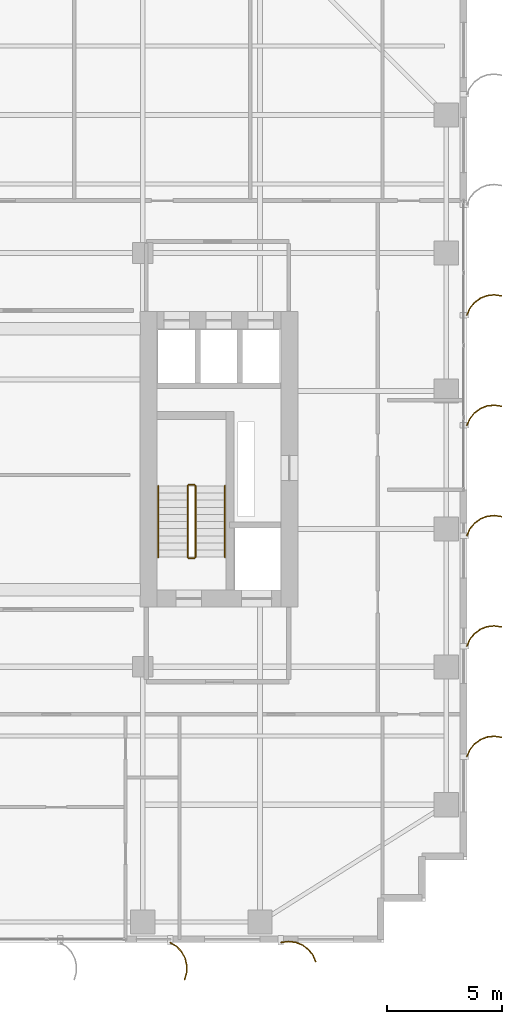
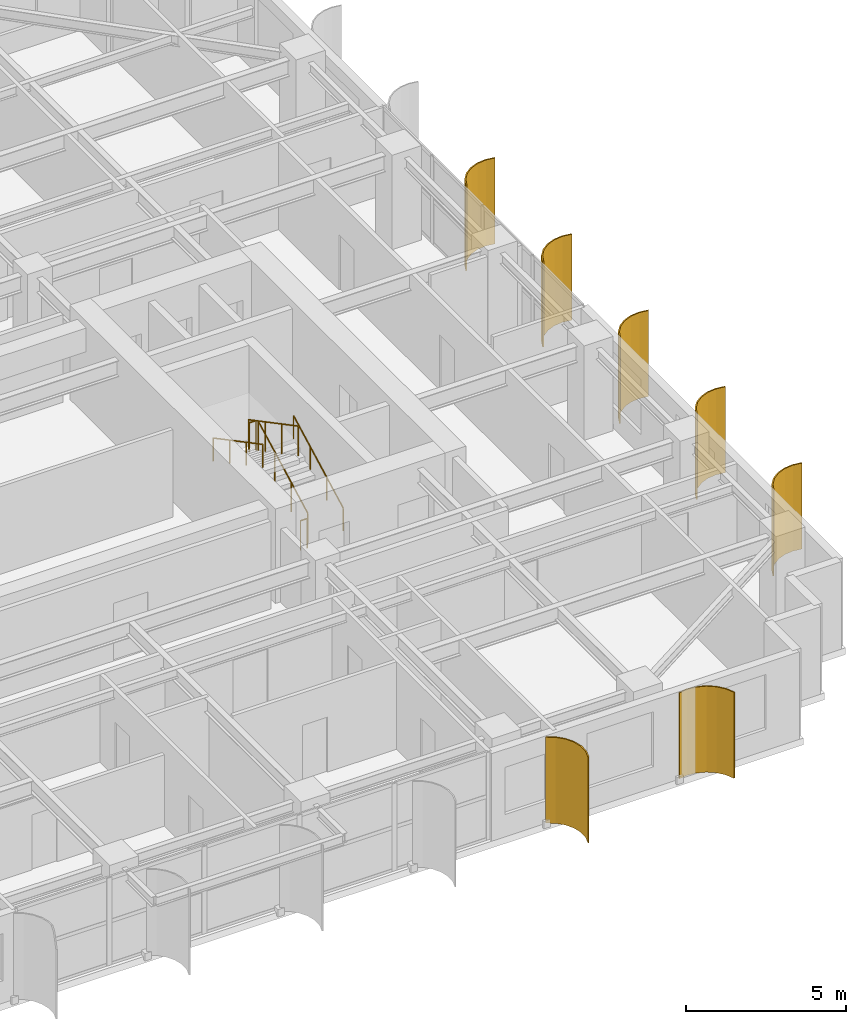
# One storey, part 26 of 27: 7 shading devices, 6 railings.
"""IFC4 building model written with IfcOpenShell, lengths in metres."""

from ifc_helpers import new_model, si_unit, direction, frame, origin, origin_2d, place, context, subcontext, project, spatial, polyline, circle, outline, extrude, source, transform, mapped, material, layer, layer_set, type_object, element, save


model = new_model("IFC4")

# Units and contexts
model_context = context("Model", 3, precision=1e-05, world=origin(), true_north=direction((0.0, 1.0)))
body_context = subcontext(model_context, "Body", "Model", "MODEL_VIEW")
ifc_project = project(units=[si_unit("LENGTHUNIT", "METRE"), si_unit("AREAUNIT", "SQUARE_METRE"), si_unit("VOLUMEUNIT", "CUBIC_METRE"), si_unit("PLANEANGLEUNIT", "RADIAN"), si_unit("MASSUNIT", "GRAM", prefix="KILO")], contexts=[model_context])

# Site, building, storey
site_placement = place(None, origin())
site = spatial("IfcSite", under=ifc_project, at=site_placement, CompositionType="ELEMENT")
building_placement = place(site_placement, origin())
building = spatial("IfcBuilding", under=site, at=building_placement, Name="Khoralis Quay Care Tower", CompositionType="ELEMENT")
storey_placement = place(building_placement, frame((0.0, 0.0, 105.300048828125)))
storey = spatial("IfcBuildingStorey", under=building, at=storey_placement, Name="L27", CompositionType="ELEMENT", Elevation=105.300048828125)

# Railings
ifc_material_1 = material(Name="Brushed stainless steel", Category="steel")
railing_type_1 = type_object("IfcRailingType", Name="RL-GUARD-1150", PredefinedType="GUARDRAIL", material=ifc_material_1)
railing_1_placement = place(storey_placement, frame((33.18994140625, 16.77001953125, 0.16357421875)))
element("IfcRailing", 1, at=railing_1_placement, inside=storey, type_object=railing_type_1, Name="L27 ST-T2 stair guard 1", PredefinedType="GUARDRAIL", context=body_context, shape_type="SweptSolid", body=[
    extrude(circle(Radius=0.02392578125, at=origin_2d()), frame((0.0, 0.0, 1.1259765625), z_axis=(0.0, 0.884348015382, 0.466828220752), x_axis=(-1.0, 0.0, 0.0)), (0.0, 0.0, 1.0), 3.505615234375),
    extrude(circle(Radius=0.02099609375, at=origin_2d()), origin(), (0.0, 0.0, 1.0), 1.101806640625),
    extrude(circle(Radius=0.02099609375, at=origin_2d()), frame((0.0, 1.033447265625, 0.54541015625)), (0.0, 0.0, 1.0), 1.101806640625),
    extrude(circle(Radius=0.02099609375, at=origin_2d()), frame((0.0, 2.066650390625, 1.091064453125)), (0.0, 0.0, 1.0), 1.101806640625),
    extrude(circle(Radius=0.02099609375, at=origin_2d()), frame((0.0, 3.10009765625, 1.636474609375)), (0.0, 0.0, 1.0), 1.101806640625),
])
railing_2_placement = place(storey_placement, frame((33.139892578125, 19.919921875, 1.800048828125)))
element("IfcRailing", 2, at=railing_2_placement, inside=storey, type_object=railing_type_1, Name="L27 ST-T2 stair guard 2", PredefinedType="GUARDRAIL", context=body_context, shape_type="SweptSolid", body=[
    extrude(circle(Radius=0.02392578125, at=origin_2d()), frame((0.0, 0.0, 1.1259765625), z_axis=(-1.0, 0.0, 0.0), x_axis=(0.0, -1.0, 0.0)), (0.0, 0.0, 1.0), 0.239990234375),
    extrude(circle(Radius=0.02099609375, at=origin_2d()), origin(), (0.0, 0.0, 1.0), 1.101806640625),
    extrude(circle(Radius=0.02099609375, at=origin_2d()), frame((-0.239990234375, 0.0, 0.0)), (0.0, 0.0, 1.0), 1.101806640625),
])
railing_3_placement = place(storey_placement, frame((32.85009765625, 19.8701171875, 1.963623046875)))
element("IfcRailing", 3, at=railing_3_placement, inside=storey, type_object=railing_type_1, Name="L27 ST-T2 stair guard 3", PredefinedType="GUARDRAIL", context=body_context, shape_type="SweptSolid", body=[
    extrude(circle(Radius=0.02392578125, at=origin_2d()), frame((0.0, 0.0, 1.1259765625), z_axis=(0.0, -0.884376766648, 0.46677375099), x_axis=(1.0, 0.0, 0.0)), (0.0, 0.0, 1.0), 3.50537109375),
    extrude(circle(Radius=0.02099609375, at=origin_2d()), origin(), (0.0, 0.0, 1.0), 1.101806640625),
    extrude(circle(Radius=0.02099609375, at=origin_2d()), frame((0.0, -1.033447265625, 0.54541015625)), (0.0, 0.0, 1.0), 1.101806640625),
    extrude(circle(Radius=0.02099609375, at=origin_2d()), frame((0.0, -2.066650390625, 1.0908203125)), (0.0, 0.0, 1.0), 1.101806640625),
    extrude(circle(Radius=0.02099609375, at=origin_2d()), frame((0.0, -3.10009765625, 1.63623046875)), (0.0, 0.0, 1.0), 1.101806640625),
])
railing_4_placement = place(storey_placement, frame((33.139892578125, 16.719970703125, 0.0)))
element("IfcRailing", 4, at=railing_4_placement, inside=storey, type_object=railing_type_1, Name="L27 ST-T2 stair guard 4", PredefinedType="GUARDRAIL", context=body_context, shape_type="SweptSolid", body=[
    extrude(circle(Radius=0.02392578125, at=origin_2d()), frame((0.0, 0.0, 1.1259765625), z_axis=(-1.0, 0.0, 0.0), x_axis=(0.0, -1.0, 0.0)), (0.0, 0.0, 1.0), 0.239990234375),
    extrude(circle(Radius=0.02099609375, at=origin_2d()), origin(), (0.0, 0.0, 1.0), 1.101806640625),
    extrude(circle(Radius=0.02099609375, at=origin_2d()), frame((-0.239990234375, 0.0, 0.0)), (0.0, 0.0, 1.0), 1.101806640625),
])
railing_type_2 = type_object("IfcRailingType", Name="RL-HAND-900", PredefinedType="HANDRAIL", material=ifc_material_1)
railing_5_placement = place(storey_placement, frame((34.469970703125, 16.77001953125, 0.16357421875)))
element("IfcRailing", 5, at=railing_5_placement, inside=storey, type_object=railing_type_2, Name="L27 ST-T2 stair handrail 1", PredefinedType="HANDRAIL", context=body_context, shape_type="SweptSolid", body=[
    extrude(circle(Radius=0.02392578125, at=origin_2d()), frame((0.0, 0.0, 0.8759765625), z_axis=(0.0, 0.884348015382, 0.466828220752), x_axis=(-1.0, 0.0, 0.0)), (0.0, 0.0, 1.0), 3.505615234375),
    extrude(circle(Radius=0.02099609375, at=origin_2d()), origin(), (0.0, 0.0, 1.0), 0.851806640625),
    extrude(circle(Radius=0.02099609375, at=origin_2d()), frame((0.0, 1.033447265625, 0.54541015625)), (0.0, 0.0, 1.0), 0.851806640625),
    extrude(circle(Radius=0.02099609375, at=origin_2d()), frame((0.0, 2.066650390625, 1.091064453125)), (0.0, 0.0, 1.0), 0.851806640625),
    extrude(circle(Radius=0.02099609375, at=origin_2d()), frame((0.0, 3.10009765625, 1.636474609375)), (0.0, 0.0, 1.0), 0.851806640625),
])
railing_6_placement = place(storey_placement, frame((31.570068359375, 19.8701171875, 1.963623046875)))
element("IfcRailing", 6, at=railing_6_placement, inside=storey, type_object=railing_type_2, Name="L27 ST-T2 stair handrail 2", PredefinedType="HANDRAIL", context=body_context, shape_type="SweptSolid", body=[
    extrude(circle(Radius=0.02392578125, at=origin_2d()), frame((0.0, 0.0, 0.8759765625), z_axis=(0.0, -0.884376766648, 0.46677375099), x_axis=(1.0, 0.0, 0.0)), (0.0, 0.0, 1.0), 3.50537109375),
    extrude(circle(Radius=0.02099609375, at=origin_2d()), origin(), (0.0, 0.0, 1.0), 0.851806640625),
    extrude(circle(Radius=0.02099609375, at=origin_2d()), frame((0.0, -1.033447265625, 0.54541015625)), (0.0, 0.0, 1.0), 0.851806640625),
    extrude(circle(Radius=0.02099609375, at=origin_2d()), frame((0.0, -2.066650390625, 1.0908203125)), (0.0, 0.0, 1.0), 0.851806640625),
    extrude(circle(Radius=0.02099609375, at=origin_2d()), frame((0.0, -3.10009765625, 1.63623046875)), (0.0, 0.0, 1.0), 0.851806640625),
])

# Shading devices
ifc_material_2 = material(Name="Brushed pale anodised aluminium", Category="aluminium")
ifc_layer = layer(ifc_material_2, 0.044921875)
ifc_layer_set = layer_set([ifc_layer], Name="Brushed pale anodised aluminium")
shading_device_type = type_object("IfcShadingDeviceType", Name="SHD-FIN-1250", PredefinedType="USERDEFINED", material=ifc_layer_set)
shared_shape_1 = source(origin(), body_context, "Body", "SweptSolid", [
    extrude(outline(polyline([(0.0, 0.0), (0.17041015625, 0.2783203125), (0.4072265625, 0.5029296875), (0.694091796875, 0.658447265625), (1.01123046875, 0.734619140625), (1.33740234375, 0.72607421875), (1.650390625, 0.633544921875), (1.632080078125, 0.59228515625), (1.330322265625, 0.681640625), (1.015869140625, 0.68994140625), (0.710205078125, 0.616455078125), (0.43359375, 0.466552734375), (0.20556640625, 0.25), (0.041015625, -0.018310546875), (0.0, 0.0)])), origin(), (0.0, 0.0, 1.0), 3.280029296875),
])
shading_device_1_placement = place(storey_placement, frame((32.10009765625, 0.030029296875, 0.02001953125), z_axis=(0.0, 0.0, 1.0), x_axis=(0.0, -1.0, 0.0)))
element("IfcShadingDevice", 7, at=shading_device_1_placement, inside=storey, type_object=shading_device_type, Name="L27 Curved Solar Fin P1E0-06", ObjectType="FIN", PredefinedType="USERDEFINED", context=body_context, shape_type="MappedRepresentation", body=[
    mapped(shared_shape_1, transform((0.0, 0.0, 0.0), scale=1.0)),
])
shared_shape_2 = source(origin(), body_context, "Body", "SweptSolid", [
    extrude(outline(polyline([(0.0, 0.0), (-0.04833984375, 0.32275390625), (-0.01123046875, 0.64697265625), (0.1083984375, 0.950439453125), (0.302490234375, 1.212890625), (0.557861328125, 1.416015625), (0.85693359375, 1.546142578125), (0.869384765625, 1.5029296875), (0.5810546875, 1.37744140625), (0.334716796875, 1.181640625), (0.147705078125, 0.9287109375), (0.032470703125, 0.635986328125), (-0.003173828125, 0.323486328125), (0.043212890625, 0.012451171875), (0.0, 0.0)])), origin(), (0.0, 0.0, 1.0), 3.280029296875),
])
shading_device_2_placement = place(storey_placement, frame((36.89990234375, 0.030029296875, 0.02001953125), z_axis=(0.0, 0.0, 1.0), x_axis=(0.0, -1.0, 0.0)))
element("IfcShadingDevice", 8, at=shading_device_2_placement, inside=storey, type_object=shading_device_type, Name="L27 Curved Solar Fin P1E0-07", ObjectType="FIN", PredefinedType="USERDEFINED", context=body_context, shape_type="MappedRepresentation", body=[
    mapped(shared_shape_2, transform((0.0, 0.0, 0.0), scale=1.0)),
])
shared_shape_3 = source(origin(), body_context, "Body", "SweptSolid", [
    extrude(outline(polyline([(0.0, 0.0), (0.130126953125, 0.29931640625), (0.333251953125, 0.5546875), (0.595458984375, 0.748779296875), (0.899169921875, 0.868408203125), (1.223388671875, 0.9052734375), (1.546142578125, 0.85693359375), (1.53369140625, 0.813720703125), (1.22265625, 0.8603515625), (0.91015625, 0.82470703125), (0.617431640625, 0.70947265625), (0.364501953125, 0.522216796875), (0.168701171875, 0.276123046875), (0.043212890625, -0.012451171875), (0.0, 0.0)])), origin(), (0.0, 0.0, 1.0), 3.280029296875),
])
for number, where, z_axis, x_axis, name in (
    (9, (44.969970703125, 8.10009765625, 0.02001953125), (0.0, 0.0, 1.0), (1.0, 0.0, 0.0), "L27 Curved Solar Fin P1E5-01"),
    (10, (44.969970703125, 12.89990234375, 0.02001953125), (0.0, 0.0, 1.0), (1.0, 0.0, 0.0), "L27 Curved Solar Fin P1E5-02"),
    (11, (44.969970703125, 17.699951171875, 0.02001953125), (0.0, 0.0, 1.0), (1.0, 0.0, 0.0), "L27 Curved Solar Fin P1E5-03"),
    (12, (44.969970703125, 22.5, 0.02001953125), (0.0, 0.0, 1.0), (1.0, 0.0, 0.0), "L27 Curved Solar Fin P1E5-04"),
    (13, (44.969970703125, 27.300048828125, 0.02001953125), (0.0, 0.0, 1.0), (1.0, 0.0, 0.0), "L27 Curved Solar Fin P1E5-05"),
):
    element("IfcShadingDevice", number, at=place(storey_placement, frame(where, z_axis=z_axis, x_axis=x_axis)), inside=storey, type_object=shading_device_type, Name=name, ObjectType="FIN", PredefinedType="USERDEFINED", context=body_context, shape_type="MappedRepresentation", body=[
        mapped(shared_shape_3, transform((0.0, 0.0, 0.0), scale=1.0)),
    ])

save(model, "model.ifc")
